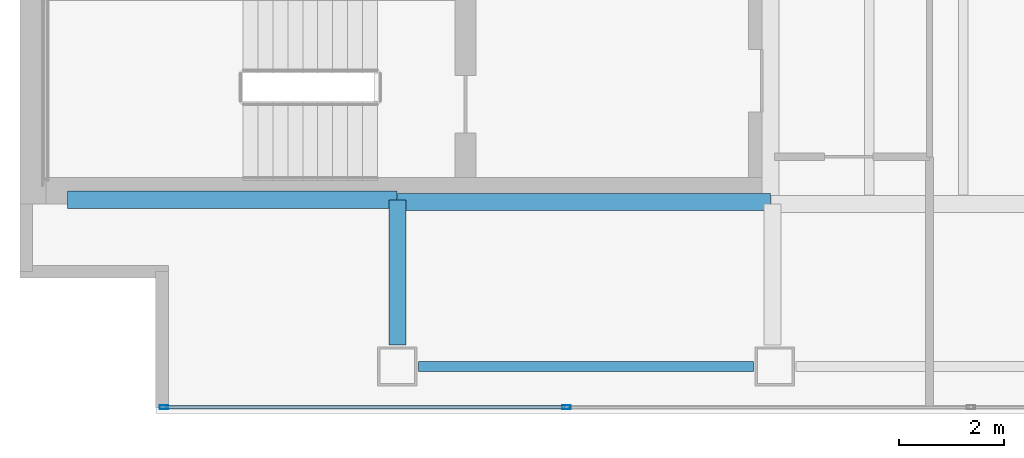
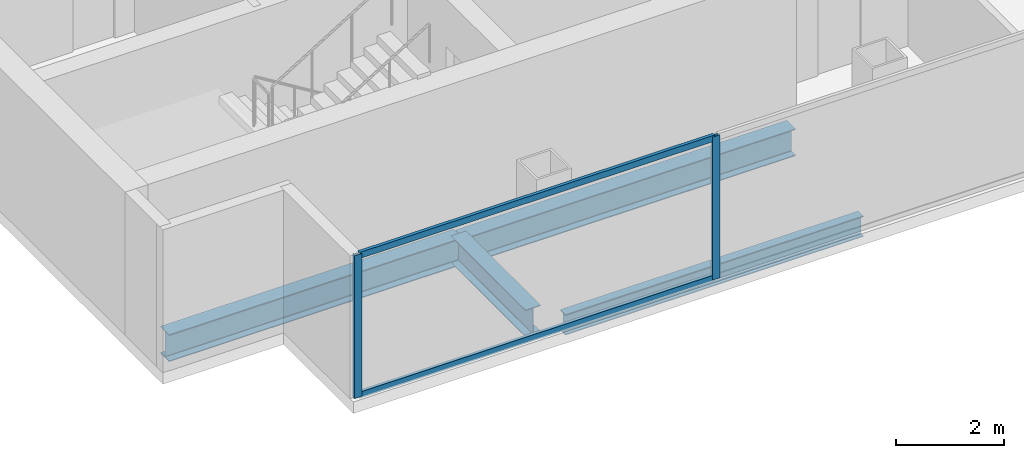
# One storey, part 2 of 23: 4 beams, 4 members, 1 element without a shape of its own.
"""IFC4 building model written with IfcOpenShell, lengths in metres."""

from ifc_helpers import new_model, si_unit, direction, frame, origin, origin_2d, place, context, subcontext, project, spatial, hollow_rectangle, i_section, extrude, material, material_profile, profile_set, type_object, element, aggregate, save


model = new_model("IFC4")

# Units and contexts
model_context = context("Model", 3, precision=1e-05, world=origin(), true_north=direction((0.0, 1.0)))
body_context = subcontext(model_context, "Body", "Model", "MODEL_VIEW")
ifc_project = project(units=[si_unit("LENGTHUNIT", "METRE"), si_unit("AREAUNIT", "SQUARE_METRE"), si_unit("VOLUMEUNIT", "CUBIC_METRE"), si_unit("PLANEANGLEUNIT", "RADIAN"), si_unit("MASSUNIT", "GRAM", prefix="KILO")], contexts=[model_context])

# Site, building, storey
site_placement = place(None, origin())
site = spatial("IfcSite", under=ifc_project, at=site_placement, CompositionType="ELEMENT")
building_placement = place(site_placement, origin())
building = spatial("IfcBuilding", under=site, at=building_placement, Name="Cobrela Telecom Tower", CompositionType="ELEMENT")
storey_placement = place(building_placement, frame((0.0, 0.0, 201.25)))
storey = spatial("IfcBuildingStorey", under=building, at=storey_placement, Name="L51", CompositionType="ELEMENT", Elevation=201.25)

# Beams
ifc_material_1 = material(Name="Steel ASTM A992 Grade 50", Category="steel")
ifc_material_profile_1 = material_profile(ifc_material_1, i_section(OverallWidth=0.324951171875, OverallDepth=0.612060546875, WebThickness=0.0126953125, FlangeThickness=0.01904296875, FilletRadius=0.014892578125, at=origin_2d()), Name="W24X104")
ifc_profile_set_1 = profile_set([ifc_material_profile_1], Name="Steel ASTM A992 Grade 50")
beam_type_1 = type_object("IfcBeamType", Name="BM-GIRD-07", PredefinedType="USERDEFINED", material=ifc_profile_set_1)
beam_1_placement = place(storey_placement, frame((0.905029296875, 7.280029296875, -0.56591796875), z_axis=(1.0, 0.0, 0.0), x_axis=(0.0, 1.0, 0.0)))
element("IfcBeam", 1, at=beam_1_placement, inside=storey, type_object=beam_type_1, Name="L51 Primary Girder X05", ObjectType="GIRDER", PredefinedType="USERDEFINED", context=body_context, shape_type="SweptSolid", body=[
    extrude(i_section(OverallWidth=0.324951171875, OverallDepth=0.612060546875, WebThickness=0.0126953125, FlangeThickness=0.01904296875, FilletRadius=0.014892578125, at=origin_2d()), origin(), (0.0, 0.0, 1.0), 6.2900390625),
])
beam_2_placement = place(storey_placement, frame((7.205078125, 7.239990234375, -0.56591796875), z_axis=(1.0, 0.0, 0.0), x_axis=(0.0, 1.0, 0.0)))
element("IfcBeam", 2, at=beam_2_placement, inside=storey, type_object=beam_type_1, Name="L51 Primary Girder X06", ObjectType="GIRDER", PredefinedType="USERDEFINED", context=body_context, shape_type="SweptSolid", body=[
    extrude(i_section(OverallWidth=0.324951171875, OverallDepth=0.612060546875, WebThickness=0.0126953125, FlangeThickness=0.01904296875, FilletRadius=0.014892578125, at=origin_2d()), origin(), (0.0, 0.0, 1.0), 7.10986328125),
])
beam_3_placement = place(storey_placement, frame((7.199951171875, 4.5048828125, -0.56591796875), z_axis=(0.0, 1.0, 0.0), x_axis=(-1.0, 0.0, 0.0)))
element("IfcBeam", 3, at=beam_3_placement, inside=storey, type_object=beam_type_1, Name="L51 Primary Girder Y24", ObjectType="GIRDER", PredefinedType="USERDEFINED", context=body_context, shape_type="SweptSolid", body=[
    extrude(i_section(OverallWidth=0.324951171875, OverallDepth=0.612060546875, WebThickness=0.0126953125, FlangeThickness=0.01904296875, FilletRadius=0.014892578125, at=origin_2d()), origin(), (0.0, 0.0, 1.0), 2.77001953125),
])
ifc_material_profile_2 = material_profile(ifc_material_1, i_section(OverallWidth=0.193115234375, OverallDepth=0.467041015625, WebThickness=0.011474609375, FlangeThickness=0.01904296875, FilletRadius=0.012939453125, at=origin_2d()), Name="W18X65")
ifc_profile_set_2 = profile_set([ifc_material_profile_2], Name="Steel ASTM A992 Grade 50")
beam_type_2 = type_object("IfcBeamType", Name="BM-SPAND-05", PredefinedType="SPANDREL", material=ifc_profile_set_2)
beam_4_placement = place(storey_placement, frame((7.60498046875, 4.10009765625, -0.493408203125), z_axis=(1.0, 0.0, 0.0), x_axis=(0.0, 1.0, 0.0)))
element("IfcBeam", 4, at=beam_4_placement, inside=storey, type_object=beam_type_2, Name="L51 Perimeter Spandrel X01", PredefinedType="SPANDREL", context=body_context, shape_type="SweptSolid", body=[
    extrude(i_section(OverallWidth=0.193115234375, OverallDepth=0.467041015625, WebThickness=0.011474609375, FlangeThickness=0.01904296875, FilletRadius=0.012939453125, at=origin_2d()), origin(), (0.0, 0.0, 1.0), 6.39013671875),
])

# Curtain wall, members
ifc_material_2 = material(Name="Anodized Bronze Aluminium 6063-T6", Category="aluminium")
curtain_wall_type = type_object("IfcCurtainWallType", Name="CW-SYS-OFF-LO", PredefinedType="USERDEFINED", material=ifc_material_2)
curtain_wall_placement = place(storey_placement, origin())
curtain_wall = element("IfcCurtainWall", 5, at=curtain_wall_placement, inside=storey, type_object=curtain_wall_type, Name="L51 Unitised Bronze Curtain Wall 17", ObjectType="UNITISED CURTAIN WALL", PredefinedType="USERDEFINED")
ifc_material_profile_3 = material_profile(ifc_material_2, hollow_rectangle(XDim=0.070068359375, YDim=0.159912109375, WallThickness=0.00390625, at=origin_2d()), Name="ALU 70x160x4")
ifc_profile_set_3 = profile_set([ifc_material_profile_3], Name="Anodized Bronze Aluminium 6063-T6")
member_type_1 = type_object("IfcMemberType", Name="CW-SYS-OFF-LO-MUL", PredefinedType="MULLION", material=ifc_profile_set_3)
member_1_placement = place(storey_placement, frame((10.426025390625, 3.320068359375, 0.0), z_axis=(0.0, 0.0, 1.0), x_axis=(0.0, -1.0, 0.0)))
member_1 = element("IfcMember", 6, at=member_1_placement, type_object=member_type_1, Name="CW-OFF-LO mullion 5", PredefinedType="MULLION", context=body_context, shape_type="SweptSolid", body=[
    extrude(hollow_rectangle(XDim=0.070068359375, YDim=0.159912109375, WallThickness=0.00390625, at=origin_2d()), origin(), (0.0, 0.0, 1.0), 3.239990234375),
])
member_2_placement = place(storey_placement, frame((2.7451171875, 3.320068359375, 0.0), z_axis=(0.0, 0.0, 1.0), x_axis=(0.0, -1.0, 0.0)))
member_2 = element("IfcMember", 7, at=member_2_placement, type_object=member_type_1, Name="CW-OFF-LO mullion 6", PredefinedType="MULLION", context=body_context, shape_type="SweptSolid", body=[
    extrude(hollow_rectangle(XDim=0.070068359375, YDim=0.159912109375, WallThickness=0.00390625, at=origin_2d()), origin(), (0.0, 0.0, 1.0), 3.239990234375),
])
ifc_material_profile_4 = material_profile(ifc_material_2, hollow_rectangle(XDim=0.070068359375, YDim=0.139892578125, WallThickness=0.00390625, at=origin_2d()), Name="ALU 70x140x4")
ifc_profile_set_4 = profile_set([ifc_material_profile_4], Name="Anodized Bronze Aluminium 6063-T6")
member_type_2 = type_object("IfcMemberType", Name="CW-SYS-OFF-LO-TRN", PredefinedType="USERDEFINED", material=ifc_profile_set_4)
member_3_placement = place(storey_placement, frame((10.39111328125, 3.320068359375, 0.034912109375), z_axis=(-1.0, 0.0, 0.0), x_axis=(0.0, -1.0, 0.0)))
member_3 = element("IfcMember", 8, at=member_3_placement, type_object=member_type_2, Name="CW-OFF-LO transom 5.1", ObjectType="TRANSOM", PredefinedType="USERDEFINED", context=body_context, shape_type="SweptSolid", body=[
    extrude(hollow_rectangle(XDim=0.070068359375, YDim=0.139892578125, WallThickness=0.00390625, at=origin_2d()), origin(), (0.0, 0.0, 1.0), 7.611083984375),
])
member_4_placement = place(storey_placement, frame((10.39111328125, 3.320068359375, 3.205078125), z_axis=(-1.0, 0.0, 0.0), x_axis=(0.0, -1.0, 0.0)))
member_4 = element("IfcMember", 9, at=member_4_placement, type_object=member_type_2, Name="CW-OFF-LO transom 5.2", ObjectType="TRANSOM", PredefinedType="USERDEFINED", context=body_context, shape_type="SweptSolid", body=[
    extrude(hollow_rectangle(XDim=0.070068359375, YDim=0.139892578125, WallThickness=0.00390625, at=origin_2d()), origin(), (0.0, 0.0, 1.0), 7.611083984375),
])
aggregate(curtain_wall, [member_1, member_2, member_3, member_4])

save(model, "model.ifc")
